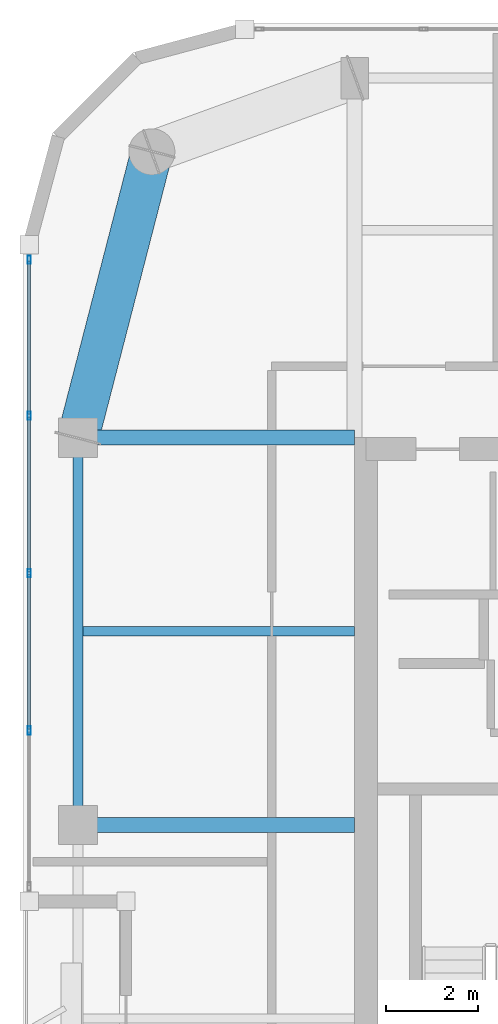
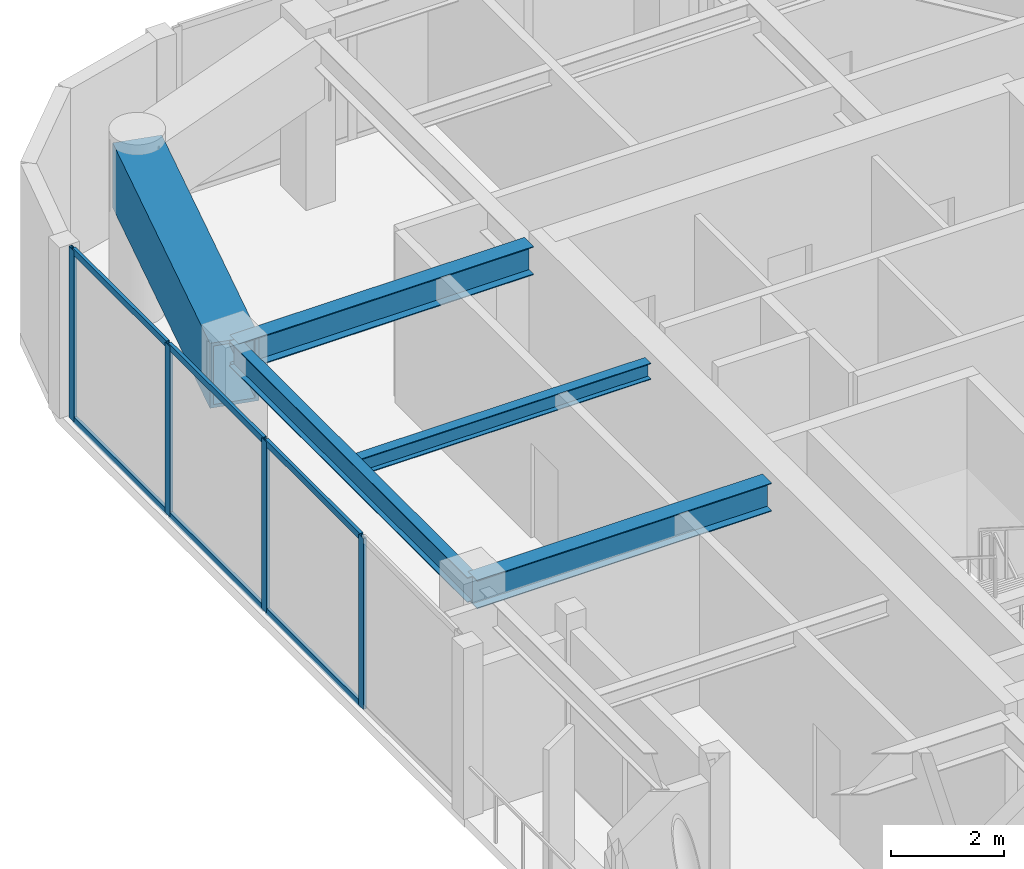
# One storey, part 4 of 16: 10 members, 5 beams, 1 element without a shape of its own.
"""IFC4 building model written with IfcOpenShell, lengths in metres."""

from ifc_helpers import new_model, si_unit, direction, frame, origin, origin_2d, place, context, subcontext, project, spatial, hollow_rectangle, i_section, extrude, material, layer, layer_set, material_profile, profile_set, type_object, element, aggregate, save


model = new_model("IFC4")

# Units and contexts
model_context = context("Model", 3, precision=1e-05, world=origin(), true_north=direction((0.0, 1.0)))
body_context = subcontext(model_context, "Body", "Model", "MODEL_VIEW")
ifc_project = project(units=[si_unit("LENGTHUNIT", "METRE"), si_unit("AREAUNIT", "SQUARE_METRE"), si_unit("VOLUMEUNIT", "CUBIC_METRE"), si_unit("PLANEANGLEUNIT", "RADIAN"), si_unit("MASSUNIT", "GRAM", prefix="KILO")], contexts=[model_context])

# Site, building, storey
site_placement = place(None, origin())
site = spatial("IfcSite", under=ifc_project, at=site_placement, CompositionType="ELEMENT")
building_placement = place(site_placement, origin())
building = spatial("IfcBuilding", under=site, at=building_placement, Name="Kiyonajd Concourse Tower", CompositionType="ELEMENT")
storey_placement = place(building_placement, frame((0.0, 0.0, 325.800048828125)))
storey = spatial("IfcBuildingStorey", under=building, at=storey_placement, Name="L82", CompositionType="ELEMENT", Elevation=325.800048828125)

# Beams
ifc_material_1 = material(Name="Steel ASTM A992 Grade 50", Category="steel")
ifc_material_profile_1 = material_profile(ifc_material_1, i_section(OverallWidth=0.205078125, OverallDepth=0.35400390625, WebThickness=0.009521484375, FlangeThickness=0.016845703125, at=origin_2d()), Name="W360X79")
ifc_profile_set_1 = profile_set([ifc_material_profile_1], Name="Steel ASTM A992 Grade 50")
beam_type_1 = type_object("IfcBeamType", Name="BM-JST-360", PredefinedType="JOIST", material=ifc_profile_set_1)
beam_1_placement = place(storey_placement, frame((26.505615234375, 40.199951171875, 3.5029296875), z_axis=(1.0, 0.0, 0.0), x_axis=(0.0, 1.0, 0.0)))
element("IfcBeam", 1, at=beam_1_placement, inside=storey, type_object=beam_type_1, Name="L82 West Secondary Floor Joist", PredefinedType="JOIST", context=body_context, shape_type="SweptSolid", body=[
    extrude(i_section(OverallWidth=0.205078125, OverallDepth=0.35400390625, WebThickness=0.009521484375, FlangeThickness=0.016845703125, at=origin_2d()), origin(), (0.0, 0.0, 1.0), 5.894287109375),
])
ifc_material_profile_2 = material_profile(ifc_material_1, i_section(OverallWidth=0.2109375, OverallDepth=0.5390625, WebThickness=0.01171875, FlangeThickness=0.018798828125, at=origin_2d()), Name="W530X109")
ifc_profile_set_2 = profile_set([ifc_material_profile_2], Name="Steel ASTM A992 Grade 50")
beam_type_2 = type_object("IfcBeamType", Name="BM-SPAN-530B", PredefinedType="SPANDREL", material=ifc_profile_set_2)
beam_2_placement = place(storey_placement, frame((26.39990234375, 44.39990234375, 3.410400390625), z_axis=(0.0, -1.0, 0.0), x_axis=(1.0, 0.0, 0.0)))
element("IfcBeam", 2, at=beam_2_placement, inside=storey, type_object=beam_type_2, Name="L82 Perimeter Bundled Tube Spandrel", PredefinedType="SPANDREL", context=body_context, shape_type="SweptSolid", body=[
    extrude(i_section(OverallWidth=0.2109375, OverallDepth=0.5390625, WebThickness=0.01171875, FlangeThickness=0.018798828125, at=origin_2d()), origin(), (0.0, 0.0, 1.0), 8.39990234375),
])
ifc_material_profile_3 = material_profile(ifc_material_1, i_section(OverallWidth=0.323974609375, OverallDepth=0.611083984375, WebThickness=0.0126953125, FlangeThickness=0.01904296875, at=origin_2d()), Name="W610X155")
ifc_profile_set_3 = profile_set([ifc_material_profile_3], Name="Steel ASTM A992 Grade 50")
beam_type_3 = type_object("IfcBeamType", Name="BM-TWR-610B", PredefinedType="BEAM", material=ifc_profile_set_3)
for number, where, z_axis, x_axis, name in (
    (3, (26.39990234375, 36.0, 3.37451171875), (1.0, 0.0, 0.0), (0.0, 1.0, 0.0), "L82 West Lease Girder"),
    (4, (26.39990234375, 44.39990234375, 3.37451171875), (1.0, 0.0, 0.0), (0.0, 1.0, 0.0), "L82 West Lease Girder"),
):
    element("IfcBeam", number, at=place(storey_placement, frame(where, z_axis=z_axis, x_axis=x_axis)), inside=storey, type_object=beam_type_3, Name=name, PredefinedType="BEAM", context=body_context, shape_type="SweptSolid", body=[
        extrude(i_section(OverallWidth=0.323974609375, OverallDepth=0.611083984375, WebThickness=0.0126953125, FlangeThickness=0.01904296875, at=origin_2d()), origin(), (0.0, 0.0, 1.0), 6.0),
    ])
ifc_material_2 = material(Name="Steel ASTM A572 Grade 50", Category="steel")
ifc_material_profile_4 = material_profile(ifc_material_2, hollow_rectangle(XDim=0.89990234375, YDim=1.39990234375, WallThickness=0.070068359375, at=origin_2d()), Name="BOX-1400x900x70")
ifc_profile_set_4 = profile_set([ifc_material_profile_4], Name="Steel ASTM A572 Grade 50")
beam_type_4 = type_object("IfcBeamType", Name="BM-XFER-1400", PredefinedType="BEAM", material=ifc_profile_set_4)
beam_3_placement = place(storey_placement, frame((28.0, 50.60009765625, 2.97998046875), z_axis=(-0.249884937687, -0.968275538221, 0.0), x_axis=(0.968275538221, -0.249884937687, 0.0)))
element("IfcBeam", 5, at=beam_3_placement, inside=storey, type_object=beam_type_4, Name="L82 Perimeter Bundled Tube Spandrel", PredefinedType="BEAM", context=body_context, shape_type="SweptSolid", body=[
    extrude(hollow_rectangle(XDim=0.89990234375, YDim=1.39990234375, WallThickness=0.070068359375, at=origin_2d()), origin(), (0.0, 0.0, 1.0), 6.4033203125),
])

# Curtain wall, members
ifc_material_3 = material(Name="Thermally Broken Anodised Aluminium", Category="aluminium")
ifc_layer = layer(ifc_material_3, 0.179931640625)
ifc_layer_set = layer_set([ifc_layer], Name="Thermally Broken Anodised Aluminium")
curtain_wall_type = type_object("IfcCurtainWallType", Name="CW-SYS-04", PredefinedType="NOTDEFINED", material=ifc_layer_set)
curtain_wall_placement = place(storey_placement, origin())
curtain_wall = element("IfcCurtainWall", 6, at=curtain_wall_placement, inside=storey, type_object=curtain_wall_type, Name="L82 Unitised Curtain Wall CW4", PredefinedType="NOTDEFINED")
ifc_material_profile_5 = material_profile(ifc_material_3, hollow_rectangle(XDim=0.06494140625, YDim=0.179931640625, WallThickness=0.00390625, at=origin_2d()), Name="MULL-65x180")
ifc_profile_set_5 = profile_set([ifc_material_profile_5], Name="Thermally Broken Anodised Aluminium")
member_type_1 = type_object("IfcMemberType", Name="MB-CW-MULL1", PredefinedType="MULLION", material=ifc_profile_set_5)
member_1_placement = place(storey_placement, frame((25.340087890625, 38.04541015625, 0.0), z_axis=(0.0, 0.0, 1.0), x_axis=(-1.0, 0.0, 0.0)))
member_1 = element("IfcMember", 7, at=member_1_placement, type_object=member_type_1, Name="CW4 mullion 2", PredefinedType="MULLION", context=body_context, shape_type="SweptSolid", body=[
    extrude(hollow_rectangle(XDim=0.06494140625, YDim=0.179931640625, WallThickness=0.00390625, at=origin_2d()), origin(), (0.0, 0.0, 1.0), 3.679931640625),
])
member_2_placement = place(storey_placement, frame((25.340087890625, 41.460693359375, 0.0), z_axis=(0.0, 0.0, 1.0), x_axis=(-1.0, 0.0, 0.0)))
member_2 = element("IfcMember", 8, at=member_2_placement, type_object=member_type_1, Name="CW4 mullion 3", PredefinedType="MULLION", context=body_context, shape_type="SweptSolid", body=[
    extrude(hollow_rectangle(XDim=0.06494140625, YDim=0.179931640625, WallThickness=0.00390625, at=origin_2d()), origin(), (0.0, 0.0, 1.0), 3.679931640625),
])
member_3_placement = place(storey_placement, frame((25.340087890625, 44.876220703125, 0.0), z_axis=(0.0, 0.0, 1.0), x_axis=(-1.0, 0.0, 0.0)))
member_3 = element("IfcMember", 9, at=member_3_placement, type_object=member_type_1, Name="CW4 mullion 4", PredefinedType="MULLION", context=body_context, shape_type="SweptSolid", body=[
    extrude(hollow_rectangle(XDim=0.06494140625, YDim=0.179931640625, WallThickness=0.00390625, at=origin_2d()), origin(), (0.0, 0.0, 1.0), 3.679931640625),
])
member_4_placement = place(storey_placement, frame((25.340087890625, 48.259033203125, 0.0), z_axis=(0.0, 0.0, 1.0), x_axis=(-1.0, 0.0, 0.0)))
member_4 = element("IfcMember", 10, at=member_4_placement, type_object=member_type_1, Name="CW4 mullion 5", PredefinedType="MULLION", context=body_context, shape_type="SweptSolid", body=[
    extrude(hollow_rectangle(XDim=0.06494140625, YDim=0.179931640625, WallThickness=0.00390625, at=origin_2d()), origin(), (0.0, 0.0, 1.0), 3.679931640625),
])
ifc_material_profile_6 = material_profile(ifc_material_3, hollow_rectangle(XDim=0.06494140625, YDim=0.139892578125, WallThickness=0.00390625, at=origin_2d()), Name="TRAN-65x140")
ifc_profile_set_6 = profile_set([ifc_material_profile_6], Name="Thermally Broken Anodised Aluminium")
member_type_2 = type_object("IfcMemberType", Name="MB-CW-TRAN1", PredefinedType="USERDEFINED", material=ifc_profile_set_6)
member_5_placement = place(storey_placement, frame((25.340087890625, 38.077880859375, 0.032470703125), z_axis=(0.0, 1.0, 0.0), x_axis=(-1.0, 0.0, 0.0)))
member_5 = element("IfcMember", 11, at=member_5_placement, type_object=member_type_2, Name="CW4 transom 2.1", ObjectType="TRANSOM", PredefinedType="USERDEFINED", context=body_context, shape_type="SweptSolid", body=[
    extrude(hollow_rectangle(XDim=0.06494140625, YDim=0.139892578125, WallThickness=0.00390625, at=origin_2d()), origin(), (0.0, 0.0, 1.0), 3.350341796875),
])
member_6_placement = place(storey_placement, frame((25.340087890625, 38.077880859375, 3.6474609375), z_axis=(0.0, 1.0, 0.0), x_axis=(-1.0, 0.0, 0.0)))
member_6 = element("IfcMember", 12, at=member_6_placement, type_object=member_type_2, Name="CW4 transom 2.2", ObjectType="TRANSOM", PredefinedType="USERDEFINED", context=body_context, shape_type="SweptSolid", body=[
    extrude(hollow_rectangle(XDim=0.06494140625, YDim=0.139892578125, WallThickness=0.00390625, at=origin_2d()), origin(), (0.0, 0.0, 1.0), 3.350341796875),
])
member_7_placement = place(storey_placement, frame((25.340087890625, 41.493408203125, 0.032470703125), z_axis=(0.0, 1.0, 0.0), x_axis=(-1.0, 0.0, 0.0)))
member_7 = element("IfcMember", 13, at=member_7_placement, type_object=member_type_2, Name="CW4 transom 3.1", ObjectType="TRANSOM", PredefinedType="USERDEFINED", context=body_context, shape_type="SweptSolid", body=[
    extrude(hollow_rectangle(XDim=0.06494140625, YDim=0.139892578125, WallThickness=0.00390625, at=origin_2d()), origin(), (0.0, 0.0, 1.0), 3.350341796875),
])
member_8_placement = place(storey_placement, frame((25.340087890625, 41.493408203125, 3.6474609375), z_axis=(0.0, 1.0, 0.0), x_axis=(-1.0, 0.0, 0.0)))
member_8 = element("IfcMember", 14, at=member_8_placement, type_object=member_type_2, Name="CW4 transom 3.2", ObjectType="TRANSOM", PredefinedType="USERDEFINED", context=body_context, shape_type="SweptSolid", body=[
    extrude(hollow_rectangle(XDim=0.06494140625, YDim=0.139892578125, WallThickness=0.00390625, at=origin_2d()), origin(), (0.0, 0.0, 1.0), 3.350341796875),
])
member_9_placement = place(storey_placement, frame((25.340087890625, 44.90869140625, 0.032470703125), z_axis=(0.0, 1.0, 0.0), x_axis=(-1.0, 0.0, 0.0)))
member_9 = element("IfcMember", 15, at=member_9_placement, type_object=member_type_2, Name="CW4 transom 4.1", ObjectType="TRANSOM", PredefinedType="USERDEFINED", context=body_context, shape_type="SweptSolid", body=[
    extrude(hollow_rectangle(XDim=0.06494140625, YDim=0.139892578125, WallThickness=0.00390625, at=origin_2d()), origin(), (0.0, 0.0, 1.0), 3.31787109375),
])
member_10_placement = place(storey_placement, frame((25.340087890625, 44.90869140625, 3.6474609375), z_axis=(0.0, 1.0, 0.0), x_axis=(-1.0, 0.0, 0.0)))
member_10 = element("IfcMember", 16, at=member_10_placement, type_object=member_type_2, Name="CW4 transom 4.2", ObjectType="TRANSOM", PredefinedType="USERDEFINED", context=body_context, shape_type="SweptSolid", body=[
    extrude(hollow_rectangle(XDim=0.06494140625, YDim=0.139892578125, WallThickness=0.00390625, at=origin_2d()), origin(), (0.0, 0.0, 1.0), 3.31787109375),
])
aggregate(curtain_wall, [member_1, member_2, member_3, member_4, member_5, member_6, member_7, member_8, member_9, member_10])

save(model, "model.ifc")
